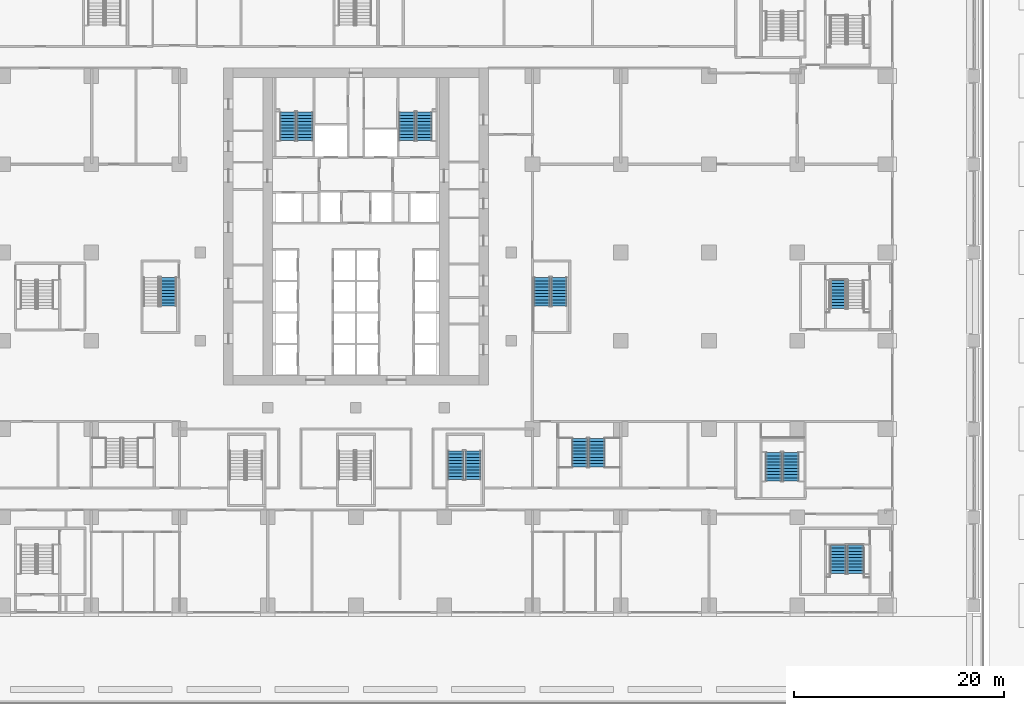
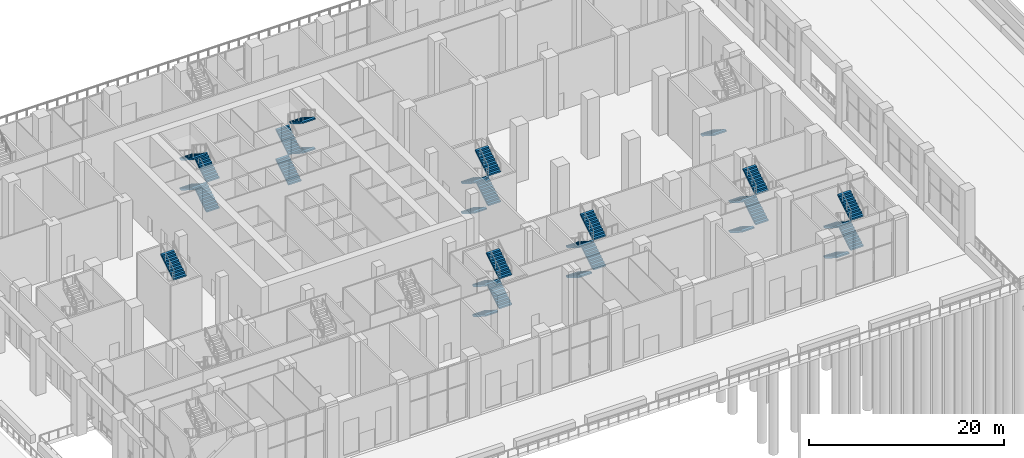
# One storey, part 34 of 53: 30 stair flights, 9 elements without a shape of their own.
"""IFC4 building model written with IfcOpenShell, lengths in metres."""

from ifc_helpers import new_model, si_unit, direction, frame, origin, place, context, subcontext, project, spatial, polyline, outline, extrude, material, type_object, element, aggregate, save


model = new_model("IFC4")

# Units and contexts
model_context = context("Model", 3, precision=1e-05, world=origin(), true_north=direction((0.0, 1.0)))
body_context = subcontext(model_context, "Body", "Model", "MODEL_VIEW")
ifc_project = project(units=[si_unit("LENGTHUNIT", "METRE"), si_unit("AREAUNIT", "SQUARE_METRE"), si_unit("VOLUMEUNIT", "CUBIC_METRE"), si_unit("PLANEANGLEUNIT", "RADIAN"), si_unit("MASSUNIT", "GRAM", prefix="KILO")], contexts=[model_context])

# Site, building, storey
site_placement = place(None, origin())
site = spatial("IfcSite", under=ifc_project, at=site_placement, CompositionType="ELEMENT")
building_placement = place(site_placement, origin())
building = spatial("IfcBuilding", under=site, at=building_placement, Name="Vermilion Ogive Tower", CompositionType="ELEMENT")
storey_placement = place(building_placement, origin())
storey = spatial("IfcBuildingStorey", under=building, at=storey_placement, Name="L00", CompositionType="ELEMENT", Elevation=0.0)

# Stair, stair flights
ifc_material_1 = material(Name="Concrete B40", Category="concrete")
stair_type = type_object("IfcStairType", Name="Exit stair 1500", PredefinedType="HALF_TURN_STAIR", material=ifc_material_1)
stair_1_placement = place(storey_placement, origin())
stair_1 = element("IfcStair", 1, at=stair_1_placement, inside=storey, type_object=stair_type, Name="L00 Exit Stair ST1", PredefinedType="HALF_TURN_STAIR")
ifc_material_2 = material(Name="Concrete B40", Category="concrete")
stair_flight_type = type_object("IfcStairFlightType", Name="Stair flight 1500", PredefinedType="STRAIGHT", material=ifc_material_2)
stair_flight_1_placement = place(storey_placement, frame((-4.85009765625, 14.85009765625, 0.0), z_axis=(0.0, 0.0, 1.0), x_axis=(0.0, 1.0, 0.0)))
stair_flight_1 = element("IfcStairFlight", 2, at=stair_flight_1_placement, type_object=stair_flight_type, Name="ST1 flight 1", NumberOfRisers=10, NumberOfTreads=9, PredefinedType="STRAIGHT", RiserHeight=0.1875, TreadLength=0.3, context=body_context, shape_type="SweptSolid", body=[
    extrude(outline(polyline([(0.0, 0.0), (0.0, 0.1875), (0.300048828125, 0.1875), (0.300048828125, 0.375), (0.60009765625, 0.375), (0.60009765625, 0.5625), (0.89990234375, 0.5625), (0.89990234375, 0.75), (1.199951171875, 0.75), (1.199951171875, 0.9375), (1.5, 0.9375), (1.5, 1.125), (1.800048828125, 1.125), (1.800048828125, 1.3125), (2.10009765625, 1.3125), (2.10009765625, 1.5), (2.39990234375, 1.5), (2.39990234375, 1.6875), (2.699951171875, 1.6875), (2.699951171875, 1.875), (2.699951171875, 1.5107421875), (0.28271484375, 0.0), (0.0, 0.0)])), frame((0.0, 0.75, 0.0), z_axis=(0.0, -1.0, 0.0), x_axis=(1.0, 0.0, 0.0)), (0.0, 0.0, 1.0), 1.5),
])
stair_flight_2_placement = place(storey_placement, frame((-6.5, 17.550048828125, 1.875), z_axis=(0.0, 0.0, 1.0), x_axis=(0.0, -1.0, 0.0)))
stair_flight_2 = element("IfcStairFlight", 3, at=stair_flight_2_placement, type_object=stair_flight_type, Name="ST1 flight 2", NumberOfRisers=10, NumberOfTreads=9, PredefinedType="STRAIGHT", RiserHeight=0.1875, TreadLength=0.3, context=body_context, shape_type="SweptSolid", body=[
    extrude(outline(polyline([(0.0, 0.0), (0.0, 0.1875), (0.300048828125, 0.1875), (0.300048828125, 0.375), (0.60009765625, 0.375), (0.60009765625, 0.5625), (0.89990234375, 0.5625), (0.89990234375, 0.75), (1.199951171875, 0.75), (1.199951171875, 0.9375), (1.5, 0.9375), (1.5, 1.125), (1.800048828125, 1.125), (1.800048828125, 1.3125), (2.10009765625, 1.3125), (2.10009765625, 1.5), (2.39990234375, 1.5), (2.39990234375, 1.6875), (2.699951171875, 1.6875), (2.699951171875, 1.875), (2.699951171875, 1.5107421875), (0.28271484375, 0.0), (0.0, 0.0)])), frame((0.0, 0.75, 0.0), z_axis=(0.0, -1.0, 0.0), x_axis=(1.0, 0.0, 0.0)), (0.0, 0.0, 1.0), 1.5),
])
stair_flight_3_placement = place(storey_placement, frame((-4.85009765625, 14.85009765625, 3.75), z_axis=(0.0, 0.0, 1.0), x_axis=(0.0, 1.0, 0.0)))
stair_flight_3 = element("IfcStairFlight", 4, at=stair_flight_3_placement, type_object=stair_flight_type, Name="ST1 flight 3", NumberOfRisers=10, NumberOfTreads=9, PredefinedType="STRAIGHT", RiserHeight=0.1875, TreadLength=0.3, context=body_context, shape_type="SweptSolid", body=[
    extrude(outline(polyline([(0.0, 0.0), (0.0, 0.1875), (0.300048828125, 0.1875), (0.300048828125, 0.375), (0.60009765625, 0.375), (0.60009765625, 0.5625), (0.89990234375, 0.5625), (0.89990234375, 0.75), (1.199951171875, 0.75), (1.199951171875, 0.9375), (1.5, 0.9375), (1.5, 1.125), (1.800048828125, 1.125), (1.800048828125, 1.3125), (2.10009765625, 1.3125), (2.10009765625, 1.5), (2.39990234375, 1.5), (2.39990234375, 1.6875), (2.699951171875, 1.6875), (2.699951171875, 1.875), (2.699951171875, 1.5107421875), (0.28271484375, 0.0), (0.0, 0.0)])), frame((0.0, 0.75, 0.0), z_axis=(0.0, -1.0, 0.0), x_axis=(1.0, 0.0, 0.0)), (0.0, 0.0, 1.0), 1.5),
])
stair_flight_4_placement = place(storey_placement, frame((-6.5, 17.550048828125, 5.625), z_axis=(0.0, 0.0, 1.0), x_axis=(0.0, -1.0, 0.0)))
stair_flight_4 = element("IfcStairFlight", 5, at=stair_flight_4_placement, type_object=stair_flight_type, Name="ST1 flight 4", NumberOfRisers=10, NumberOfTreads=9, PredefinedType="STRAIGHT", RiserHeight=0.1875, TreadLength=0.3, context=body_context, shape_type="SweptSolid", body=[
    extrude(outline(polyline([(0.0, 0.0), (0.0, 0.1875), (0.300048828125, 0.1875), (0.300048828125, 0.375), (0.60009765625, 0.375), (0.60009765625, 0.5625), (0.89990234375, 0.5625), (0.89990234375, 0.75), (1.199951171875, 0.75), (1.199951171875, 0.9375), (1.5, 0.9375), (1.5, 1.125), (1.800048828125, 1.125), (1.800048828125, 1.3125), (2.10009765625, 1.3125), (2.10009765625, 1.5), (2.39990234375, 1.5), (2.39990234375, 1.6875), (2.699951171875, 1.6875), (2.699951171875, 1.875), (2.699951171875, 1.5107421875), (0.28271484375, 0.0), (0.0, 0.0)])), frame((0.0, 0.75, 0.0), z_axis=(0.0, -1.0, 0.0), x_axis=(1.0, 0.0, 0.0)), (0.0, 0.0, 1.0), 1.5),
])
aggregate(stair_1, [stair_flight_1, stair_flight_2, stair_flight_3, stair_flight_4])

stair_2_placement = place(storey_placement, origin())
stair_2 = element("IfcStair", 6, at=stair_2_placement, inside=storey, type_object=stair_type, Name="L00 Exit Stair ST2", PredefinedType="HALF_TURN_STAIR")
stair_flight_5_placement = place(storey_placement, frame((4.85009765625, 14.85009765625, 0.0), z_axis=(0.0, 0.0, 1.0), x_axis=(0.0, 1.0, 0.0)))
stair_flight_5 = element("IfcStairFlight", 7, at=stair_flight_5_placement, type_object=stair_flight_type, Name="ST2 flight 1", NumberOfRisers=10, NumberOfTreads=9, PredefinedType="STRAIGHT", RiserHeight=0.1875, TreadLength=0.3, context=body_context, shape_type="SweptSolid", body=[
    extrude(outline(polyline([(0.0, 0.0), (0.0, 0.1875), (0.300048828125, 0.1875), (0.300048828125, 0.375), (0.60009765625, 0.375), (0.60009765625, 0.5625), (0.89990234375, 0.5625), (0.89990234375, 0.75), (1.199951171875, 0.75), (1.199951171875, 0.9375), (1.5, 0.9375), (1.5, 1.125), (1.800048828125, 1.125), (1.800048828125, 1.3125), (2.10009765625, 1.3125), (2.10009765625, 1.5), (2.39990234375, 1.5), (2.39990234375, 1.6875), (2.699951171875, 1.6875), (2.699951171875, 1.875), (2.699951171875, 1.5107421875), (0.28271484375, 0.0), (0.0, 0.0)])), frame((0.0, 0.75, 0.0), z_axis=(0.0, -1.0, 0.0), x_axis=(1.0, 0.0, 0.0)), (0.0, 0.0, 1.0), 1.5),
])
stair_flight_6_placement = place(storey_placement, frame((6.5, 17.550048828125, 1.875), z_axis=(0.0, 0.0, 1.0), x_axis=(0.0, -1.0, 0.0)))
stair_flight_6 = element("IfcStairFlight", 8, at=stair_flight_6_placement, type_object=stair_flight_type, Name="ST2 flight 2", NumberOfRisers=10, NumberOfTreads=9, PredefinedType="STRAIGHT", RiserHeight=0.1875, TreadLength=0.3, context=body_context, shape_type="SweptSolid", body=[
    extrude(outline(polyline([(0.0, 0.0), (0.0, 0.1875), (0.300048828125, 0.1875), (0.300048828125, 0.375), (0.60009765625, 0.375), (0.60009765625, 0.5625), (0.89990234375, 0.5625), (0.89990234375, 0.75), (1.199951171875, 0.75), (1.199951171875, 0.9375), (1.5, 0.9375), (1.5, 1.125), (1.800048828125, 1.125), (1.800048828125, 1.3125), (2.10009765625, 1.3125), (2.10009765625, 1.5), (2.39990234375, 1.5), (2.39990234375, 1.6875), (2.699951171875, 1.6875), (2.699951171875, 1.875), (2.699951171875, 1.5107421875), (0.28271484375, 0.0), (0.0, 0.0)])), frame((0.0, 0.75, 0.0), z_axis=(0.0, -1.0, 0.0), x_axis=(1.0, 0.0, 0.0)), (0.0, 0.0, 1.0), 1.5),
])
stair_flight_7_placement = place(storey_placement, frame((4.85009765625, 14.85009765625, 3.75), z_axis=(0.0, 0.0, 1.0), x_axis=(0.0, 1.0, 0.0)))
stair_flight_7 = element("IfcStairFlight", 9, at=stair_flight_7_placement, type_object=stair_flight_type, Name="ST2 flight 3", NumberOfRisers=10, NumberOfTreads=9, PredefinedType="STRAIGHT", RiserHeight=0.1875, TreadLength=0.3, context=body_context, shape_type="SweptSolid", body=[
    extrude(outline(polyline([(0.0, 0.0), (0.0, 0.1875), (0.300048828125, 0.1875), (0.300048828125, 0.375), (0.60009765625, 0.375), (0.60009765625, 0.5625), (0.89990234375, 0.5625), (0.89990234375, 0.75), (1.199951171875, 0.75), (1.199951171875, 0.9375), (1.5, 0.9375), (1.5, 1.125), (1.800048828125, 1.125), (1.800048828125, 1.3125), (2.10009765625, 1.3125), (2.10009765625, 1.5), (2.39990234375, 1.5), (2.39990234375, 1.6875), (2.699951171875, 1.6875), (2.699951171875, 1.875), (2.699951171875, 1.5107421875), (0.28271484375, 0.0), (0.0, 0.0)])), frame((0.0, 0.75, 0.0), z_axis=(0.0, -1.0, 0.0), x_axis=(1.0, 0.0, 0.0)), (0.0, 0.0, 1.0), 1.5),
])
stair_flight_8_placement = place(storey_placement, frame((6.5, 17.550048828125, 5.625), z_axis=(0.0, 0.0, 1.0), x_axis=(0.0, -1.0, 0.0)))
stair_flight_8 = element("IfcStairFlight", 10, at=stair_flight_8_placement, type_object=stair_flight_type, Name="ST2 flight 4", NumberOfRisers=10, NumberOfTreads=9, PredefinedType="STRAIGHT", RiserHeight=0.1875, TreadLength=0.3, context=body_context, shape_type="SweptSolid", body=[
    extrude(outline(polyline([(0.0, 0.0), (0.0, 0.1875), (0.300048828125, 0.1875), (0.300048828125, 0.375), (0.60009765625, 0.375), (0.60009765625, 0.5625), (0.89990234375, 0.5625), (0.89990234375, 0.75), (1.199951171875, 0.75), (1.199951171875, 0.9375), (1.5, 0.9375), (1.5, 1.125), (1.800048828125, 1.125), (1.800048828125, 1.3125), (2.10009765625, 1.3125), (2.10009765625, 1.5), (2.39990234375, 1.5), (2.39990234375, 1.6875), (2.699951171875, 1.6875), (2.699951171875, 1.875), (2.699951171875, 1.5107421875), (0.28271484375, 0.0), (0.0, 0.0)])), frame((0.0, 0.75, 0.0), z_axis=(0.0, -1.0, 0.0), x_axis=(1.0, 0.0, 0.0)), (0.0, 0.0, 1.0), 1.5),
])
aggregate(stair_2, [stair_flight_5, stair_flight_6, stair_flight_7, stair_flight_8])

stair_3_placement = place(storey_placement, origin())
stair_3 = element("IfcStair", 11, at=stair_3_placement, inside=storey, type_object=stair_type, Name="L00 Exit Stair ST5", PredefinedType="HALF_TURN_STAIR")
stair_flight_9_placement = place(storey_placement, frame((9.5, -14.699951171875, 0.0), z_axis=(0.0, 0.0, 1.0), x_axis=(0.0, -1.0, 0.0)))
stair_flight_9 = element("IfcStairFlight", 12, at=stair_flight_9_placement, type_object=stair_flight_type, Name="ST5 flight 1", NumberOfRisers=10, NumberOfTreads=9, PredefinedType="STRAIGHT", RiserHeight=0.1875, TreadLength=0.3, context=body_context, shape_type="SweptSolid", body=[
    extrude(outline(polyline([(0.0, 0.0), (0.0, 0.1875), (0.300048828125, 0.1875), (0.300048828125, 0.375), (0.60009765625, 0.375), (0.60009765625, 0.5625), (0.89990234375, 0.5625), (0.89990234375, 0.75), (1.199951171875, 0.75), (1.199951171875, 0.9375), (1.5, 0.9375), (1.5, 1.125), (1.800048828125, 1.125), (1.800048828125, 1.3125), (2.10009765625, 1.3125), (2.10009765625, 1.5), (2.39990234375, 1.5), (2.39990234375, 1.6875), (2.699951171875, 1.6875), (2.699951171875, 1.875), (2.699951171875, 1.5107421875), (0.28271484375, 0.0), (0.0, 0.0)])), frame((0.0, 0.75, 0.0), z_axis=(0.0, -1.0, 0.0), x_axis=(1.0, 0.0, 0.0)), (0.0, 0.0, 1.0), 1.5),
])
stair_flight_10_placement = place(storey_placement, frame((11.14990234375, -17.39990234375, 1.875), z_axis=(0.0, 0.0, 1.0), x_axis=(0.0, 1.0, 0.0)))
stair_flight_10 = element("IfcStairFlight", 13, at=stair_flight_10_placement, type_object=stair_flight_type, Name="ST5 flight 2", NumberOfRisers=10, NumberOfTreads=9, PredefinedType="STRAIGHT", RiserHeight=0.1875, TreadLength=0.3, context=body_context, shape_type="SweptSolid", body=[
    extrude(outline(polyline([(0.0, 0.0), (0.0, 0.1875), (0.300048828125, 0.1875), (0.300048828125, 0.375), (0.60009765625, 0.375), (0.60009765625, 0.5625), (0.89990234375, 0.5625), (0.89990234375, 0.75), (1.199951171875, 0.75), (1.199951171875, 0.9375), (1.5, 0.9375), (1.5, 1.125), (1.800048828125, 1.125), (1.800048828125, 1.3125), (2.10009765625, 1.3125), (2.10009765625, 1.5), (2.39990234375, 1.5), (2.39990234375, 1.6875), (2.699951171875, 1.6875), (2.699951171875, 1.875), (2.699951171875, 1.5107421875), (0.28271484375, 0.0), (0.0, 0.0)])), frame((0.0, 0.75, 0.0), z_axis=(0.0, -1.0, 0.0), x_axis=(1.0, 0.0, 0.0)), (0.0, 0.0, 1.0), 1.5),
])
stair_flight_11_placement = place(storey_placement, frame((9.5, -14.699951171875, 3.75), z_axis=(0.0, 0.0, 1.0), x_axis=(0.0, -1.0, 0.0)))
stair_flight_11 = element("IfcStairFlight", 14, at=stair_flight_11_placement, type_object=stair_flight_type, Name="ST5 flight 3", NumberOfRisers=10, NumberOfTreads=9, PredefinedType="STRAIGHT", RiserHeight=0.1875, TreadLength=0.3, context=body_context, shape_type="SweptSolid", body=[
    extrude(outline(polyline([(0.0, 0.0), (0.0, 0.1875), (0.300048828125, 0.1875), (0.300048828125, 0.375), (0.60009765625, 0.375), (0.60009765625, 0.5625), (0.89990234375, 0.5625), (0.89990234375, 0.75), (1.199951171875, 0.75), (1.199951171875, 0.9375), (1.5, 0.9375), (1.5, 1.125), (1.800048828125, 1.125), (1.800048828125, 1.3125), (2.10009765625, 1.3125), (2.10009765625, 1.5), (2.39990234375, 1.5), (2.39990234375, 1.6875), (2.699951171875, 1.6875), (2.699951171875, 1.875), (2.699951171875, 1.5107421875), (0.28271484375, 0.0), (0.0, 0.0)])), frame((0.0, 0.75, 0.0), z_axis=(0.0, -1.0, 0.0), x_axis=(1.0, 0.0, 0.0)), (0.0, 0.0, 1.0), 1.5),
])
stair_flight_12_placement = place(storey_placement, frame((11.14990234375, -17.39990234375, 5.625), z_axis=(0.0, 0.0, 1.0), x_axis=(0.0, 1.0, 0.0)))
stair_flight_12 = element("IfcStairFlight", 15, at=stair_flight_12_placement, type_object=stair_flight_type, Name="ST5 flight 4", NumberOfRisers=10, NumberOfTreads=9, PredefinedType="STRAIGHT", RiserHeight=0.1875, TreadLength=0.3, context=body_context, shape_type="SweptSolid", body=[
    extrude(outline(polyline([(0.0, 0.0), (0.0, 0.1875), (0.300048828125, 0.1875), (0.300048828125, 0.375), (0.60009765625, 0.375), (0.60009765625, 0.5625), (0.89990234375, 0.5625), (0.89990234375, 0.75), (1.199951171875, 0.75), (1.199951171875, 0.9375), (1.5, 0.9375), (1.5, 1.125), (1.800048828125, 1.125), (1.800048828125, 1.3125), (2.10009765625, 1.3125), (2.10009765625, 1.5), (2.39990234375, 1.5), (2.39990234375, 1.6875), (2.699951171875, 1.6875), (2.699951171875, 1.875), (2.699951171875, 1.5107421875), (0.28271484375, 0.0), (0.0, 0.0)])), frame((0.0, 0.75, 0.0), z_axis=(0.0, -1.0, 0.0), x_axis=(1.0, 0.0, 0.0)), (0.0, 0.0, 1.0), 1.5),
])
aggregate(stair_3, [stair_flight_9, stair_flight_10, stair_flight_11, stair_flight_12])

stair_4_placement = place(storey_placement, origin())
stair_4 = element("IfcStair", 16, at=stair_4_placement, inside=storey, type_object=stair_type, Name="L00 Exit Stair ST8", PredefinedType="HALF_TURN_STAIR")
stair_flight_13_placement = place(storey_placement, frame((17.699951171875, 1.800048828125, 0.0), z_axis=(0.0, 0.0, 1.0), x_axis=(0.0, -1.0, 0.0)))
stair_flight_13 = element("IfcStairFlight", 17, at=stair_flight_13_placement, type_object=stair_flight_type, Name="ST8 flight 1", NumberOfRisers=10, NumberOfTreads=9, PredefinedType="STRAIGHT", RiserHeight=0.1875, TreadLength=0.3, context=body_context, shape_type="SweptSolid", body=[
    extrude(outline(polyline([(0.0, 0.0), (0.0, 0.1875), (0.300048828125, 0.1875), (0.300048828125, 0.375), (0.60009765625, 0.375), (0.60009765625, 0.5625), (0.89990234375, 0.5625), (0.89990234375, 0.75), (1.199951171875, 0.75), (1.199951171875, 0.9375), (1.5, 0.9375), (1.5, 1.125), (1.800048828125, 1.125), (1.800048828125, 1.3125), (2.10009765625, 1.3125), (2.10009765625, 1.5), (2.39990234375, 1.5), (2.39990234375, 1.6875), (2.699951171875, 1.6875), (2.699951171875, 1.875), (2.699951171875, 1.5107421875), (0.28271484375, 0.0), (0.0, 0.0)])), frame((0.0, 0.75, 0.0), z_axis=(0.0, -1.0, 0.0), x_axis=(1.0, 0.0, 0.0)), (0.0, 0.0, 1.0), 1.5),
])
stair_flight_14_placement = place(storey_placement, frame((19.35009765625, -0.89990234375, 1.875), z_axis=(0.0, 0.0, 1.0), x_axis=(0.0, 1.0, 0.0)))
stair_flight_14 = element("IfcStairFlight", 18, at=stair_flight_14_placement, type_object=stair_flight_type, Name="ST8 flight 2", NumberOfRisers=10, NumberOfTreads=9, PredefinedType="STRAIGHT", RiserHeight=0.1875, TreadLength=0.3, context=body_context, shape_type="SweptSolid", body=[
    extrude(outline(polyline([(0.0, 0.0), (0.0, 0.1875), (0.300048828125, 0.1875), (0.300048828125, 0.375), (0.60009765625, 0.375), (0.60009765625, 0.5625), (0.89990234375, 0.5625), (0.89990234375, 0.75), (1.199951171875, 0.75), (1.199951171875, 0.9375), (1.5, 0.9375), (1.5, 1.125), (1.800048828125, 1.125), (1.800048828125, 1.3125), (2.10009765625, 1.3125), (2.10009765625, 1.5), (2.39990234375, 1.5), (2.39990234375, 1.6875), (2.699951171875, 1.6875), (2.699951171875, 1.875), (2.699951171875, 1.5107421875), (0.28271484375, 0.0), (0.0, 0.0)])), frame((0.0, 0.75, 0.0), z_axis=(0.0, -1.0, 0.0), x_axis=(1.0, 0.0, 0.0)), (0.0, 0.0, 1.0), 1.5),
])
stair_flight_15_placement = place(storey_placement, frame((17.699951171875, 1.800048828125, 3.75), z_axis=(0.0, 0.0, 1.0), x_axis=(0.0, -1.0, 0.0)))
stair_flight_15 = element("IfcStairFlight", 19, at=stair_flight_15_placement, type_object=stair_flight_type, Name="ST8 flight 3", NumberOfRisers=10, NumberOfTreads=9, PredefinedType="STRAIGHT", RiserHeight=0.1875, TreadLength=0.3, context=body_context, shape_type="SweptSolid", body=[
    extrude(outline(polyline([(0.0, 0.0), (0.0, 0.1875), (0.300048828125, 0.1875), (0.300048828125, 0.375), (0.60009765625, 0.375), (0.60009765625, 0.5625), (0.89990234375, 0.5625), (0.89990234375, 0.75), (1.199951171875, 0.75), (1.199951171875, 0.9375), (1.5, 0.9375), (1.5, 1.125), (1.800048828125, 1.125), (1.800048828125, 1.3125), (2.10009765625, 1.3125), (2.10009765625, 1.5), (2.39990234375, 1.5), (2.39990234375, 1.6875), (2.699951171875, 1.6875), (2.699951171875, 1.875), (2.699951171875, 1.5107421875), (0.28271484375, 0.0), (0.0, 0.0)])), frame((0.0, 0.75, 0.0), z_axis=(0.0, -1.0, 0.0), x_axis=(1.0, 0.0, 0.0)), (0.0, 0.0, 1.0), 1.5),
])
stair_flight_16_placement = place(storey_placement, frame((19.35009765625, -0.89990234375, 5.625), z_axis=(0.0, 0.0, 1.0), x_axis=(0.0, 1.0, 0.0)))
stair_flight_16 = element("IfcStairFlight", 20, at=stair_flight_16_placement, type_object=stair_flight_type, Name="ST8 flight 4", NumberOfRisers=10, NumberOfTreads=9, PredefinedType="STRAIGHT", RiserHeight=0.1875, TreadLength=0.3, context=body_context, shape_type="SweptSolid", body=[
    extrude(outline(polyline([(0.0, 0.0), (0.0, 0.1875), (0.300048828125, 0.1875), (0.300048828125, 0.375), (0.60009765625, 0.375), (0.60009765625, 0.5625), (0.89990234375, 0.5625), (0.89990234375, 0.75), (1.199951171875, 0.75), (1.199951171875, 0.9375), (1.5, 0.9375), (1.5, 1.125), (1.800048828125, 1.125), (1.800048828125, 1.3125), (2.10009765625, 1.3125), (2.10009765625, 1.5), (2.39990234375, 1.5), (2.39990234375, 1.6875), (2.699951171875, 1.6875), (2.699951171875, 1.875), (2.699951171875, 1.5107421875), (0.28271484375, 0.0), (0.0, 0.0)])), frame((0.0, 0.75, 0.0), z_axis=(0.0, -1.0, 0.0), x_axis=(1.0, 0.0, 0.0)), (0.0, 0.0, 1.0), 1.5),
])
aggregate(stair_4, [stair_flight_13, stair_flight_14, stair_flight_15, stair_flight_16])

# Stair, stair flight
stair_5_placement = place(storey_placement, origin())
stair_5 = element("IfcStair", 21, at=stair_5_placement, inside=storey, type_object=stair_type, Name="L00 Exit Stair ST9", PredefinedType="HALF_TURN_STAIR")
stair_flight_17_placement = place(storey_placement, frame((-17.85009765625, -0.89990234375, 5.625), z_axis=(0.0, 0.0, 1.0), x_axis=(0.0, 1.0, 0.0)))
stair_flight_17 = element("IfcStairFlight", 22, at=stair_flight_17_placement, type_object=stair_flight_type, Name="ST9 flight 4", NumberOfRisers=10, NumberOfTreads=9, PredefinedType="STRAIGHT", RiserHeight=0.1875, TreadLength=0.3, context=body_context, shape_type="SweptSolid", body=[
    extrude(outline(polyline([(0.0, 0.0), (0.0, 0.1875), (0.300048828125, 0.1875), (0.300048828125, 0.375), (0.60009765625, 0.375), (0.60009765625, 0.5625), (0.89990234375, 0.5625), (0.89990234375, 0.75), (1.199951171875, 0.75), (1.199951171875, 0.9375), (1.5, 0.9375), (1.5, 1.125), (1.800048828125, 1.125), (1.800048828125, 1.3125), (2.10009765625, 1.3125), (2.10009765625, 1.5), (2.39990234375, 1.5), (2.39990234375, 1.6875), (2.699951171875, 1.6875), (2.699951171875, 1.875), (2.699951171875, 1.5107421875), (0.28271484375, 0.0), (0.0, 0.0)])), frame((0.0, 0.75, 0.0), z_axis=(0.0, -1.0, 0.0), x_axis=(1.0, 0.0, 0.0)), (0.0, 0.0, 1.0), 1.5),
])
aggregate(stair_5, [stair_flight_17])

# Stair, stair flights
stair_6_placement = place(storey_placement, origin())
stair_6 = element("IfcStair", 23, at=stair_6_placement, inside=storey, type_object=stair_type, Name="L00 Exit Stair PS3", PredefinedType="HALF_TURN_STAIR")
stair_flight_18_placement = place(storey_placement, frame((21.300048828125, -13.5, 0.0), z_axis=(0.0, 0.0, 1.0), x_axis=(0.0, -1.0, 0.0)))
stair_flight_18 = element("IfcStairFlight", 24, at=stair_flight_18_placement, type_object=stair_flight_type, Name="PS3 flight 1", NumberOfRisers=10, NumberOfTreads=9, PredefinedType="STRAIGHT", RiserHeight=0.1875, TreadLength=0.3, context=body_context, shape_type="SweptSolid", body=[
    extrude(outline(polyline([(0.0, 0.0), (0.0, 0.1875), (0.300048828125, 0.1875), (0.300048828125, 0.375), (0.60009765625, 0.375), (0.60009765625, 0.5625), (0.89990234375, 0.5625), (0.89990234375, 0.75), (1.199951171875, 0.75), (1.199951171875, 0.9375), (1.5, 0.9375), (1.5, 1.125), (1.800048828125, 1.125), (1.800048828125, 1.3125), (2.10009765625, 1.3125), (2.10009765625, 1.5), (2.39990234375, 1.5), (2.39990234375, 1.6875), (2.699951171875, 1.6875), (2.699951171875, 1.875), (2.699951171875, 1.5107421875), (0.28271484375, 0.0), (0.0, 0.0)])), frame((0.0, 0.75, 0.0), z_axis=(0.0, -1.0, 0.0), x_axis=(1.0, 0.0, 0.0)), (0.0, 0.0, 1.0), 1.5),
])
stair_flight_19_placement = place(storey_placement, frame((22.949951171875, -16.199951171875, 1.875), z_axis=(0.0, 0.0, 1.0), x_axis=(0.0, 1.0, 0.0)))
stair_flight_19 = element("IfcStairFlight", 25, at=stair_flight_19_placement, type_object=stair_flight_type, Name="PS3 flight 2", NumberOfRisers=10, NumberOfTreads=9, PredefinedType="STRAIGHT", RiserHeight=0.1875, TreadLength=0.3, context=body_context, shape_type="SweptSolid", body=[
    extrude(outline(polyline([(0.0, 0.0), (0.0, 0.1875), (0.300048828125, 0.1875), (0.300048828125, 0.375), (0.60009765625, 0.375), (0.60009765625, 0.5625), (0.89990234375, 0.5625), (0.89990234375, 0.75), (1.199951171875, 0.75), (1.199951171875, 0.9375), (1.5, 0.9375), (1.5, 1.125), (1.800048828125, 1.125), (1.800048828125, 1.3125), (2.10009765625, 1.3125), (2.10009765625, 1.5), (2.39990234375, 1.5), (2.39990234375, 1.6875), (2.699951171875, 1.6875), (2.699951171875, 1.875), (2.699951171875, 1.5107421875), (0.28271484375, 0.0), (0.0, 0.0)])), frame((0.0, 0.75, 0.0), z_axis=(0.0, -1.0, 0.0), x_axis=(1.0, 0.0, 0.0)), (0.0, 0.0, 1.0), 1.5),
])
stair_flight_20_placement = place(storey_placement, frame((21.300048828125, -13.5, 3.75), z_axis=(0.0, 0.0, 1.0), x_axis=(0.0, -1.0, 0.0)))
stair_flight_20 = element("IfcStairFlight", 26, at=stair_flight_20_placement, type_object=stair_flight_type, Name="PS3 flight 3", NumberOfRisers=10, NumberOfTreads=9, PredefinedType="STRAIGHT", RiserHeight=0.1875, TreadLength=0.3, context=body_context, shape_type="SweptSolid", body=[
    extrude(outline(polyline([(0.0, 0.0), (0.0, 0.1875), (0.300048828125, 0.1875), (0.300048828125, 0.375), (0.60009765625, 0.375), (0.60009765625, 0.5625), (0.89990234375, 0.5625), (0.89990234375, 0.75), (1.199951171875, 0.75), (1.199951171875, 0.9375), (1.5, 0.9375), (1.5, 1.125), (1.800048828125, 1.125), (1.800048828125, 1.3125), (2.10009765625, 1.3125), (2.10009765625, 1.5), (2.39990234375, 1.5), (2.39990234375, 1.6875), (2.699951171875, 1.6875), (2.699951171875, 1.875), (2.699951171875, 1.5107421875), (0.28271484375, 0.0), (0.0, 0.0)])), frame((0.0, 0.75, 0.0), z_axis=(0.0, -1.0, 0.0), x_axis=(1.0, 0.0, 0.0)), (0.0, 0.0, 1.0), 1.5),
])
stair_flight_21_placement = place(storey_placement, frame((22.949951171875, -16.199951171875, 5.625), z_axis=(0.0, 0.0, 1.0), x_axis=(0.0, 1.0, 0.0)))
stair_flight_21 = element("IfcStairFlight", 27, at=stair_flight_21_placement, type_object=stair_flight_type, Name="PS3 flight 4", NumberOfRisers=10, NumberOfTreads=9, PredefinedType="STRAIGHT", RiserHeight=0.1875, TreadLength=0.3, context=body_context, shape_type="SweptSolid", body=[
    extrude(outline(polyline([(0.0, 0.0), (0.0, 0.1875), (0.300048828125, 0.1875), (0.300048828125, 0.375), (0.60009765625, 0.375), (0.60009765625, 0.5625), (0.89990234375, 0.5625), (0.89990234375, 0.75), (1.199951171875, 0.75), (1.199951171875, 0.9375), (1.5, 0.9375), (1.5, 1.125), (1.800048828125, 1.125), (1.800048828125, 1.3125), (2.10009765625, 1.3125), (2.10009765625, 1.5), (2.39990234375, 1.5), (2.39990234375, 1.6875), (2.699951171875, 1.6875), (2.699951171875, 1.875), (2.699951171875, 1.5107421875), (0.28271484375, 0.0), (0.0, 0.0)])), frame((0.0, 0.75, 0.0), z_axis=(0.0, -1.0, 0.0), x_axis=(1.0, 0.0, 0.0)), (0.0, 0.0, 1.0), 1.5),
])
aggregate(stair_6, [stair_flight_18, stair_flight_19, stair_flight_20, stair_flight_21])

stair_7_placement = place(storey_placement, origin())
stair_7 = element("IfcStair", 28, at=stair_7_placement, inside=storey, type_object=stair_type, Name="L00 Exit Stair PS6", PredefinedType="HALF_TURN_STAIR")
stair_flight_22_placement = place(storey_placement, frame((39.75, -14.85009765625, 0.0), z_axis=(0.0, 0.0, 1.0), x_axis=(0.0, -1.0, 0.0)))
stair_flight_22 = element("IfcStairFlight", 29, at=stair_flight_22_placement, type_object=stair_flight_type, Name="PS6 flight 1", NumberOfRisers=10, NumberOfTreads=9, PredefinedType="STRAIGHT", RiserHeight=0.1875, TreadLength=0.3, context=body_context, shape_type="SweptSolid", body=[
    extrude(outline(polyline([(0.0, 0.0), (0.0, 0.1875), (0.300048828125, 0.1875), (0.300048828125, 0.375), (0.60009765625, 0.375), (0.60009765625, 0.5625), (0.89990234375, 0.5625), (0.89990234375, 0.75), (1.199951171875, 0.75), (1.199951171875, 0.9375), (1.5, 0.9375), (1.5, 1.125), (1.800048828125, 1.125), (1.800048828125, 1.3125), (2.10009765625, 1.3125), (2.10009765625, 1.5), (2.39990234375, 1.5), (2.39990234375, 1.6875), (2.699951171875, 1.6875), (2.699951171875, 1.875), (2.699951171875, 1.5107421875), (0.28271484375, 0.0), (0.0, 0.0)])), frame((0.0, 0.75, 0.0), z_axis=(0.0, -1.0, 0.0), x_axis=(1.0, 0.0, 0.0)), (0.0, 0.0, 1.0), 1.5),
])
stair_flight_23_placement = place(storey_placement, frame((41.39990234375, -17.550048828125, 1.875), z_axis=(0.0, 0.0, 1.0), x_axis=(0.0, 1.0, 0.0)))
stair_flight_23 = element("IfcStairFlight", 30, at=stair_flight_23_placement, type_object=stair_flight_type, Name="PS6 flight 2", NumberOfRisers=10, NumberOfTreads=9, PredefinedType="STRAIGHT", RiserHeight=0.1875, TreadLength=0.3, context=body_context, shape_type="SweptSolid", body=[
    extrude(outline(polyline([(0.0, 0.0), (0.0, 0.1875), (0.300048828125, 0.1875), (0.300048828125, 0.375), (0.60009765625, 0.375), (0.60009765625, 0.5625), (0.89990234375, 0.5625), (0.89990234375, 0.75), (1.199951171875, 0.75), (1.199951171875, 0.9375), (1.5, 0.9375), (1.5, 1.125), (1.800048828125, 1.125), (1.800048828125, 1.3125), (2.10009765625, 1.3125), (2.10009765625, 1.5), (2.39990234375, 1.5), (2.39990234375, 1.6875), (2.699951171875, 1.6875), (2.699951171875, 1.875), (2.699951171875, 1.5107421875), (0.28271484375, 0.0), (0.0, 0.0)])), frame((0.0, 0.75, 0.0), z_axis=(0.0, -1.0, 0.0), x_axis=(1.0, 0.0, 0.0)), (0.0, 0.0, 1.0), 1.5),
])
stair_flight_24_placement = place(storey_placement, frame((39.75, -14.85009765625, 3.75), z_axis=(0.0, 0.0, 1.0), x_axis=(0.0, -1.0, 0.0)))
stair_flight_24 = element("IfcStairFlight", 31, at=stair_flight_24_placement, type_object=stair_flight_type, Name="PS6 flight 3", NumberOfRisers=10, NumberOfTreads=9, PredefinedType="STRAIGHT", RiserHeight=0.1875, TreadLength=0.3, context=body_context, shape_type="SweptSolid", body=[
    extrude(outline(polyline([(0.0, 0.0), (0.0, 0.1875), (0.300048828125, 0.1875), (0.300048828125, 0.375), (0.60009765625, 0.375), (0.60009765625, 0.5625), (0.89990234375, 0.5625), (0.89990234375, 0.75), (1.199951171875, 0.75), (1.199951171875, 0.9375), (1.5, 0.9375), (1.5, 1.125), (1.800048828125, 1.125), (1.800048828125, 1.3125), (2.10009765625, 1.3125), (2.10009765625, 1.5), (2.39990234375, 1.5), (2.39990234375, 1.6875), (2.699951171875, 1.6875), (2.699951171875, 1.875), (2.699951171875, 1.5107421875), (0.28271484375, 0.0), (0.0, 0.0)])), frame((0.0, 0.75, 0.0), z_axis=(0.0, -1.0, 0.0), x_axis=(1.0, 0.0, 0.0)), (0.0, 0.0, 1.0), 1.5),
])
stair_flight_25_placement = place(storey_placement, frame((41.39990234375, -17.550048828125, 5.625), z_axis=(0.0, 0.0, 1.0), x_axis=(0.0, 1.0, 0.0)))
stair_flight_25 = element("IfcStairFlight", 32, at=stair_flight_25_placement, type_object=stair_flight_type, Name="PS6 flight 4", NumberOfRisers=10, NumberOfTreads=9, PredefinedType="STRAIGHT", RiserHeight=0.1875, TreadLength=0.3, context=body_context, shape_type="SweptSolid", body=[
    extrude(outline(polyline([(0.0, 0.0), (0.0, 0.1875), (0.300048828125, 0.1875), (0.300048828125, 0.375), (0.60009765625, 0.375), (0.60009765625, 0.5625), (0.89990234375, 0.5625), (0.89990234375, 0.75), (1.199951171875, 0.75), (1.199951171875, 0.9375), (1.5, 0.9375), (1.5, 1.125), (1.800048828125, 1.125), (1.800048828125, 1.3125), (2.10009765625, 1.3125), (2.10009765625, 1.5), (2.39990234375, 1.5), (2.39990234375, 1.6875), (2.699951171875, 1.6875), (2.699951171875, 1.875), (2.699951171875, 1.5107421875), (0.28271484375, 0.0), (0.0, 0.0)])), frame((0.0, 0.75, 0.0), z_axis=(0.0, -1.0, 0.0), x_axis=(1.0, 0.0, 0.0)), (0.0, 0.0, 1.0), 1.5),
])
aggregate(stair_7, [stair_flight_22, stair_flight_23, stair_flight_24, stair_flight_25])

# Stair, stair flight
stair_8_placement = place(storey_placement, origin())
stair_8 = element("IfcStair", 33, at=stair_8_placement, inside=storey, type_object=stair_type, Name="L00 Exit Stair PEC", PredefinedType="HALF_TURN_STAIR")
stair_flight_26_placement = place(storey_placement, frame((45.89990234375, 1.550048828125, 0.0), z_axis=(0.0, 0.0, 1.0), x_axis=(0.0, -1.0, 0.0)))
stair_flight_26 = element("IfcStairFlight", 34, at=stair_flight_26_placement, type_object=stair_flight_type, Name="PEC flight 1", NumberOfRisers=10, NumberOfTreads=9, PredefinedType="STRAIGHT", RiserHeight=0.1875, TreadLength=0.3, context=body_context, shape_type="SweptSolid", body=[
    extrude(outline(polyline([(0.0, 0.0), (0.0, 0.1875), (0.300048828125, 0.1875), (0.300048828125, 0.375), (0.60009765625, 0.375), (0.60009765625, 0.5625), (0.89990234375, 0.5625), (0.89990234375, 0.75), (1.199951171875, 0.75), (1.199951171875, 0.9375), (1.5, 0.9375), (1.5, 1.125), (1.800048828125, 1.125), (1.800048828125, 1.3125), (2.10009765625, 1.3125), (2.10009765625, 1.5), (2.39990234375, 1.5), (2.39990234375, 1.6875), (2.699951171875, 1.6875), (2.699951171875, 1.875), (2.699951171875, 1.5107421875), (0.28271484375, 0.0), (0.0, 0.0)])), frame((0.0, 0.75, 0.0), z_axis=(0.0, -1.0, 0.0), x_axis=(1.0, 0.0, 0.0)), (0.0, 0.0, 1.0), 1.5),
])
aggregate(stair_8, [stair_flight_26])

# Stair, stair flights
stair_9_placement = place(storey_placement, origin())
stair_9 = element("IfcStair", 35, at=stair_9_placement, inside=storey, type_object=stair_type, Name="L00 Exit Stair PES", PredefinedType="HALF_TURN_STAIR")
stair_flight_27_placement = place(storey_placement, frame((45.89990234375, -23.64990234375, 0.0), z_axis=(0.0, 0.0, 1.0), x_axis=(0.0, -1.0, 0.0)))
stair_flight_27 = element("IfcStairFlight", 36, at=stair_flight_27_placement, type_object=stair_flight_type, Name="PES flight 1", NumberOfRisers=10, NumberOfTreads=9, PredefinedType="STRAIGHT", RiserHeight=0.1875, TreadLength=0.3, context=body_context, shape_type="SweptSolid", body=[
    extrude(outline(polyline([(0.0, 0.0), (0.0, 0.1875), (0.300048828125, 0.1875), (0.300048828125, 0.375), (0.60009765625, 0.375), (0.60009765625, 0.5625), (0.89990234375, 0.5625), (0.89990234375, 0.75), (1.199951171875, 0.75), (1.199951171875, 0.9375), (1.5, 0.9375), (1.5, 1.125), (1.800048828125, 1.125), (1.800048828125, 1.3125), (2.10009765625, 1.3125), (2.10009765625, 1.5), (2.39990234375, 1.5), (2.39990234375, 1.6875), (2.699951171875, 1.6875), (2.699951171875, 1.875), (2.699951171875, 1.5107421875), (0.28271484375, 0.0), (0.0, 0.0)])), frame((0.0, 0.75, 0.0), z_axis=(0.0, -1.0, 0.0), x_axis=(1.0, 0.0, 0.0)), (0.0, 0.0, 1.0), 1.5),
])
stair_flight_28_placement = place(storey_placement, frame((47.550048828125, -26.35009765625, 1.875), z_axis=(0.0, 0.0, 1.0), x_axis=(0.0, 1.0, 0.0)))
stair_flight_28 = element("IfcStairFlight", 37, at=stair_flight_28_placement, type_object=stair_flight_type, Name="PES flight 2", NumberOfRisers=10, NumberOfTreads=9, PredefinedType="STRAIGHT", RiserHeight=0.1875, TreadLength=0.3, context=body_context, shape_type="SweptSolid", body=[
    extrude(outline(polyline([(0.0, 0.0), (0.0, 0.1875), (0.300048828125, 0.1875), (0.300048828125, 0.375), (0.60009765625, 0.375), (0.60009765625, 0.5625), (0.89990234375, 0.5625), (0.89990234375, 0.75), (1.199951171875, 0.75), (1.199951171875, 0.9375), (1.5, 0.9375), (1.5, 1.125), (1.800048828125, 1.125), (1.800048828125, 1.3125), (2.10009765625, 1.3125), (2.10009765625, 1.5), (2.39990234375, 1.5), (2.39990234375, 1.6875), (2.699951171875, 1.6875), (2.699951171875, 1.875), (2.699951171875, 1.5107421875), (0.28271484375, 0.0), (0.0, 0.0)])), frame((0.0, 0.75, 0.0), z_axis=(0.0, -1.0, 0.0), x_axis=(1.0, 0.0, 0.0)), (0.0, 0.0, 1.0), 1.5),
])
stair_flight_29_placement = place(storey_placement, frame((45.89990234375, -23.64990234375, 3.75), z_axis=(0.0, 0.0, 1.0), x_axis=(0.0, -1.0, 0.0)))
stair_flight_29 = element("IfcStairFlight", 38, at=stair_flight_29_placement, type_object=stair_flight_type, Name="PES flight 3", NumberOfRisers=10, NumberOfTreads=9, PredefinedType="STRAIGHT", RiserHeight=0.1875, TreadLength=0.3, context=body_context, shape_type="SweptSolid", body=[
    extrude(outline(polyline([(0.0, 0.0), (0.0, 0.1875), (0.300048828125, 0.1875), (0.300048828125, 0.375), (0.60009765625, 0.375), (0.60009765625, 0.5625), (0.89990234375, 0.5625), (0.89990234375, 0.75), (1.199951171875, 0.75), (1.199951171875, 0.9375), (1.5, 0.9375), (1.5, 1.125), (1.800048828125, 1.125), (1.800048828125, 1.3125), (2.10009765625, 1.3125), (2.10009765625, 1.5), (2.39990234375, 1.5), (2.39990234375, 1.6875), (2.699951171875, 1.6875), (2.699951171875, 1.875), (2.699951171875, 1.5107421875), (0.28271484375, 0.0), (0.0, 0.0)])), frame((0.0, 0.75, 0.0), z_axis=(0.0, -1.0, 0.0), x_axis=(1.0, 0.0, 0.0)), (0.0, 0.0, 1.0), 1.5),
])
stair_flight_30_placement = place(storey_placement, frame((47.550048828125, -26.35009765625, 5.625), z_axis=(0.0, 0.0, 1.0), x_axis=(0.0, 1.0, 0.0)))
stair_flight_30 = element("IfcStairFlight", 39, at=stair_flight_30_placement, type_object=stair_flight_type, Name="PES flight 4", NumberOfRisers=10, NumberOfTreads=9, PredefinedType="STRAIGHT", RiserHeight=0.1875, TreadLength=0.3, context=body_context, shape_type="SweptSolid", body=[
    extrude(outline(polyline([(0.0, 0.0), (0.0, 0.1875), (0.300048828125, 0.1875), (0.300048828125, 0.375), (0.60009765625, 0.375), (0.60009765625, 0.5625), (0.89990234375, 0.5625), (0.89990234375, 0.75), (1.199951171875, 0.75), (1.199951171875, 0.9375), (1.5, 0.9375), (1.5, 1.125), (1.800048828125, 1.125), (1.800048828125, 1.3125), (2.10009765625, 1.3125), (2.10009765625, 1.5), (2.39990234375, 1.5), (2.39990234375, 1.6875), (2.699951171875, 1.6875), (2.699951171875, 1.875), (2.699951171875, 1.5107421875), (0.28271484375, 0.0), (0.0, 0.0)])), frame((0.0, 0.75, 0.0), z_axis=(0.0, -1.0, 0.0), x_axis=(1.0, 0.0, 0.0)), (0.0, 0.0, 1.0), 1.5),
])
aggregate(stair_9, [stair_flight_27, stair_flight_28, stair_flight_29, stair_flight_30])

save(model, "model.ifc")
